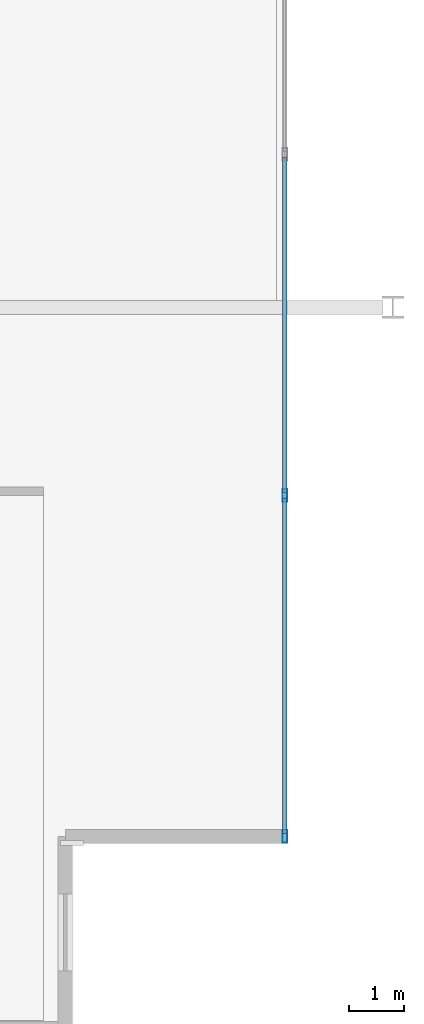
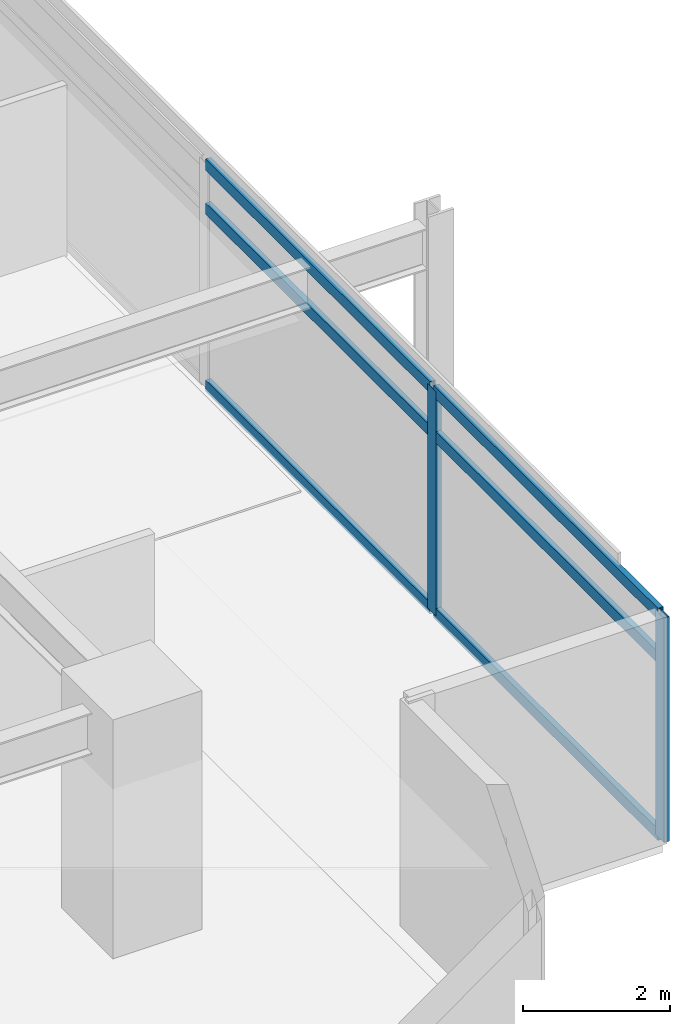
# One storey, part 2 of 23: 8 members, 1 element without a shape of its own.
"""IFC4 building model written with IfcOpenShell, lengths in metres."""

from ifc_helpers import new_model, si_unit, direction, frame, origin, origin_2d, place, context, subcontext, project, spatial, hollow_rectangle, extrude, material, material_profile, profile_set, type_object, element, aggregate, save


model = new_model("IFC4")

# Units and contexts
model_context = context("Model", 3, precision=1e-05, world=origin(), true_north=direction((0.0, 1.0)))
body_context = subcontext(model_context, "Body", "Model", "MODEL_VIEW")
ifc_project = project(units=[si_unit("LENGTHUNIT", "METRE"), si_unit("AREAUNIT", "SQUARE_METRE"), si_unit("VOLUMEUNIT", "CUBIC_METRE"), si_unit("PLANEANGLEUNIT", "RADIAN"), si_unit("MASSUNIT", "GRAM", prefix="KILO")], contexts=[model_context])

# Site, building, storey
site_placement = place(None, origin())
site = spatial("IfcSite", under=ifc_project, at=site_placement, CompositionType="ELEMENT")
building_placement = place(site_placement, origin())
building = spatial("IfcBuilding", under=site, at=building_placement, Name="Kovane Verandah Tower", CompositionType="ELEMENT")
storey_placement = place(building_placement, frame((0.0, 0.0, 221.199951171875)))
storey = spatial("IfcBuildingStorey", under=building, at=storey_placement, Name="L51", CompositionType="ELEMENT", Elevation=221.199951171875)

# Curtain wall, members
ifc_material_1 = material(Name="Champagne Anodised Aluminium Frame with Low-E Clear Laminated Glass", Category="aluminium")
curtain_wall_type = type_object("IfcCurtainWallType", Name="CW-SYS-03-MID", PredefinedType="NOTDEFINED", material=ifc_material_1)
curtain_wall_placement = place(storey_placement, origin())
curtain_wall = element("IfcCurtainWall", 1, at=curtain_wall_placement, inside=storey, type_object=curtain_wall_type, Name="L51 E Unitised Curtain Wall", PredefinedType="NOTDEFINED")
ifc_material_2 = material(Name="Champagne Anodised Aluminium 6063-T6", Category="aluminium")
ifc_material_profile_1 = material_profile(ifc_material_2, hollow_rectangle(XDim=0.0849609375, YDim=0.22998046875, WallThickness=0.00390625, at=origin_2d()), Name="AL85x230x4")
ifc_profile_set_1 = profile_set([ifc_material_profile_1], Name="Champagne Anodised Aluminium 6063-T6")
member_type_1 = type_object("IfcMemberType", Name="CW-MUL-85x230", PredefinedType="MULLION", material=ifc_profile_set_1)
member_1_placement = place(storey_placement, frame((65.63134765625, 8.859619140625, 0.02001953125), z_axis=(0.0, 0.0, 1.0), x_axis=(1.0, 0.0, 0.0)))
member_1 = element("IfcMember", 2, at=member_1_placement, type_object=member_type_1, Name="L51 E Unitised Curtain Wall Mullion 1", PredefinedType="MULLION", context=body_context, shape_type="SweptSolid", body=[
    extrude(hollow_rectangle(XDim=0.0849609375, YDim=0.22998046875, WallThickness=0.00390625, at=origin_2d()), origin(), (0.0, 0.0, 1.0), 3.735107421875),
])
member_2_placement = place(storey_placement, frame((65.63134765625, 15.072998046875, 0.02001953125), z_axis=(0.0, 0.0, 1.0), x_axis=(1.0, 0.0, 0.0)))
member_2 = element("IfcMember", 3, at=member_2_placement, type_object=member_type_1, Name="L51 E Unitised Curtain Wall Mullion 2", PredefinedType="MULLION", context=body_context, shape_type="SweptSolid", body=[
    extrude(hollow_rectangle(XDim=0.0849609375, YDim=0.22998046875, WallThickness=0.00390625, at=origin_2d()), origin(), (0.0, 0.0, 1.0), 3.735107421875),
])
ifc_material_profile_2 = material_profile(ifc_material_2, hollow_rectangle(XDim=0.0849609375, YDim=0.18994140625, WallThickness=0.00390625, at=origin_2d()), Name="AL85x190x4")
ifc_profile_set_2 = profile_set([ifc_material_profile_2], Name="Champagne Anodised Aluminium 6063-T6")
member_type_2 = type_object("IfcMemberType", Name="CW-TRN-85x190", PredefinedType="USERDEFINED", material=ifc_profile_set_2)
member_3_placement = place(storey_placement, frame((65.63134765625, 8.90966796875, 0.050048828125), z_axis=(0.0, 1.0, 0.0), x_axis=(-1.0, 0.0, 0.0)))
member_3 = element("IfcMember", 4, at=member_3_placement, type_object=member_type_2, Name="L51 E Unitised Curtain Wall Transom TB Bay 1", ObjectType="TRANSOM", PredefinedType="USERDEFINED", context=body_context, shape_type="SweptSolid", body=[
    extrude(hollow_rectangle(XDim=0.0849609375, YDim=0.18994140625, WallThickness=0.00390625, at=origin_2d()), origin(), (0.0, 0.0, 1.0), 6.113525390625),
])
member_4_placement = place(storey_placement, frame((65.63134765625, 8.90966796875, 2.9951171875), z_axis=(0.0, 1.0, 0.0), x_axis=(-1.0, 0.0, 0.0)))
member_4 = element("IfcMember", 5, at=member_4_placement, type_object=member_type_2, Name="L51 E Unitised Curtain Wall Transom TM Bay 1", ObjectType="TRANSOM", PredefinedType="USERDEFINED", context=body_context, shape_type="SweptSolid", body=[
    extrude(hollow_rectangle(XDim=0.0849609375, YDim=0.18994140625, WallThickness=0.00390625, at=origin_2d()), origin(), (0.0, 0.0, 1.0), 6.113525390625),
])
member_5_placement = place(storey_placement, frame((65.63134765625, 8.90966796875, 3.72509765625), z_axis=(0.0, 1.0, 0.0), x_axis=(-1.0, 0.0, 0.0)))
member_5 = element("IfcMember", 6, at=member_5_placement, type_object=member_type_2, Name="L51 E Unitised Curtain Wall Transom TT Bay 1", ObjectType="TRANSOM", PredefinedType="USERDEFINED", context=body_context, shape_type="SweptSolid", body=[
    extrude(hollow_rectangle(XDim=0.0849609375, YDim=0.18994140625, WallThickness=0.00390625, at=origin_2d()), origin(), (0.0, 0.0, 1.0), 6.113525390625),
])
member_6_placement = place(storey_placement, frame((65.63134765625, 15.123046875, 0.050048828125), z_axis=(0.0, 1.0, 0.0), x_axis=(-1.0, 0.0, 0.0)))
member_6 = element("IfcMember", 7, at=member_6_placement, type_object=member_type_2, Name="L51 E Unitised Curtain Wall Transom TB Bay 2", ObjectType="TRANSOM", PredefinedType="USERDEFINED", context=body_context, shape_type="SweptSolid", body=[
    extrude(hollow_rectangle(XDim=0.0849609375, YDim=0.18994140625, WallThickness=0.00390625, at=origin_2d()), origin(), (0.0, 0.0, 1.0), 6.113525390625),
])
member_7_placement = place(storey_placement, frame((65.63134765625, 15.123046875, 2.9951171875), z_axis=(0.0, 1.0, 0.0), x_axis=(-1.0, 0.0, 0.0)))
member_7 = element("IfcMember", 8, at=member_7_placement, type_object=member_type_2, Name="L51 E Unitised Curtain Wall Transom TM Bay 2", ObjectType="TRANSOM", PredefinedType="USERDEFINED", context=body_context, shape_type="SweptSolid", body=[
    extrude(hollow_rectangle(XDim=0.0849609375, YDim=0.18994140625, WallThickness=0.00390625, at=origin_2d()), origin(), (0.0, 0.0, 1.0), 6.113525390625),
])
member_8_placement = place(storey_placement, frame((65.63134765625, 15.123046875, 3.72509765625), z_axis=(0.0, 1.0, 0.0), x_axis=(-1.0, 0.0, 0.0)))
member_8 = element("IfcMember", 9, at=member_8_placement, type_object=member_type_2, Name="L51 E Unitised Curtain Wall Transom TT Bay 2", ObjectType="TRANSOM", PredefinedType="USERDEFINED", context=body_context, shape_type="SweptSolid", body=[
    extrude(hollow_rectangle(XDim=0.0849609375, YDim=0.18994140625, WallThickness=0.00390625, at=origin_2d()), origin(), (0.0, 0.0, 1.0), 6.113525390625),
])
aggregate(curtain_wall, [member_1, member_2, member_3, member_4, member_5, member_6, member_7, member_8])

save(model, "model.ifc")
